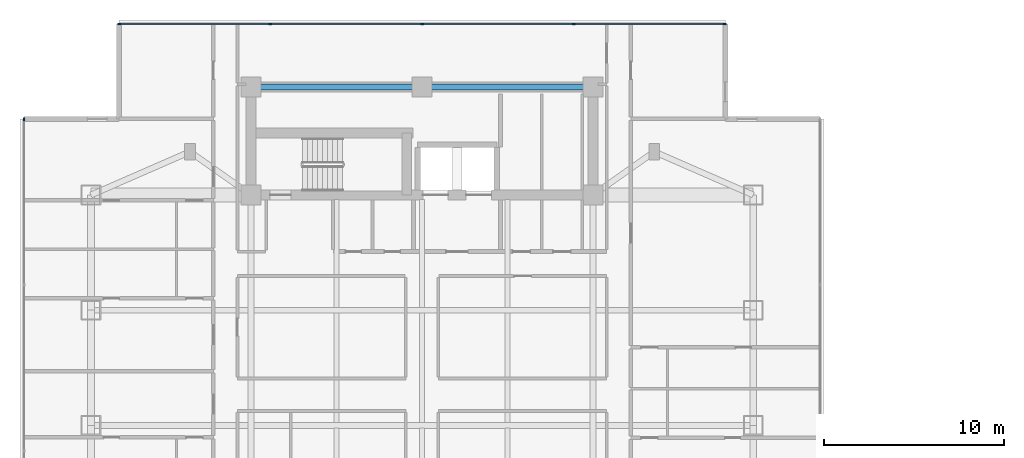
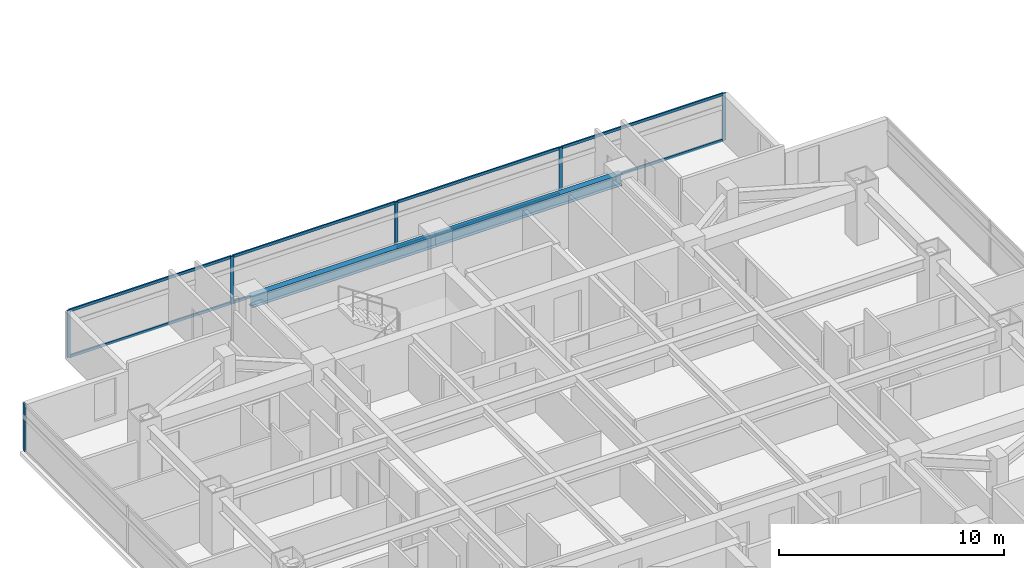
# One storey, part 7 of 24: 14 members, 2 beams, 2 elements without a shape of their own.
"""IFC4 building model written with IfcOpenShell, lengths in metres."""

import ifcopenshell
import ifcopenshell.guid

model = None  # the IFC model being written
_history = None  # IfcOwnerHistory: only IFC2X3 demands one
_inside = {}  # id of a spatial element -> (the spatial element, [elements in it])
_under = {}  # id of a project, library or spatial element -> (it, [spatial elements below it])
_declared = {}  # id of a project -> (the project, [libraries it declares])
_typed = {}  # id of a type object -> (the type object, [elements of that type])
_made_of = {}  # id of a material, layer set ... -> (it, [elements and type objects made of it])


def new_model(schema):
    """Start an empty IFC model of exactly this schema.

    Asked for "IFC4X3", IfcOpenShell would pick the latest addendum, in which some entities
    have other attributes; the version numbers below select the first issue.
    IFC2X3 requires an IfcOwnerHistory on every rooted entity: one is made here for all.
    """
    global model, _history
    if schema == "IFC4X3":
        model = ifcopenshell.file(schema_version=(4, 3, 0, 0))
    else:
        model = ifcopenshell.file(schema=schema)
    _inside.clear()
    _under.clear()
    _declared.clear()
    _typed.clear()
    _made_of.clear()
    _history = None
    if model.schema == "IFC2X3":
        org = make("IfcOrganization", Name="unknown")
        user = make(
            "IfcPersonAndOrganization",
            ThePerson=make("IfcPerson", FamilyName="unknown"),
            TheOrganization=org,
        )
        app = make(
            "IfcApplication",
            ApplicationDeveloper=org,
            Version="unknown",
            ApplicationFullName="unknown",
            ApplicationIdentifier="unknown",
        )
        _history = make(
            "IfcOwnerHistory",
            OwningUser=user,
            OwningApplication=app,
            ChangeAction="ADDED",
            CreationDate=0,
        )
    return model


def make(cls, **values):
    """One entity of the class cls with the attributes given. An attribute that is None is left unset."""
    return model.create_entity(
        cls, **{name: value for name, value in values.items() if value is not None}
    )


def rooted(cls, **values):
    """An entity with a GlobalId (a new one), such as an element, a storey or a relation."""
    return make(cls, GlobalId=ifcopenshell.guid.new(), OwnerHistory=_history, **values)


def si_unit(unit_type, name, prefix=None):
    """IfcSIUnit, for example si_unit("LENGTHUNIT", "METRE", prefix="MILLI")."""
    return make("IfcSIUnit", UnitType=unit_type, Prefix=prefix, Name=name)


def assignment(units):
    """IfcUnitAssignment: the units of a project."""
    return None if units is None else make("IfcUnitAssignment", Units=units)


def point(xyz):
    """IfcCartesianPoint."""
    return None if xyz is None else make("IfcCartesianPoint", Coordinates=xyz)


def direction(xyz):
    """IfcDirection."""
    return None if xyz is None else make("IfcDirection", DirectionRatios=xyz)


def frame(location, z_axis=None, x_axis=None):
    """IfcAxis2Placement3D, a coordinate frame: its origin and axes. An axis left out is left unset."""
    return make(
        "IfcAxis2Placement3D",
        Location=point(location),
        Axis=direction(z_axis),
        RefDirection=direction(x_axis),
    )


def frame_2d(location, x_axis=None):
    """IfcAxis2Placement2D, a coordinate frame in the plane: its origin and x axis."""
    return make(
        "IfcAxis2Placement2D", Location=point(location), RefDirection=direction(x_axis)
    )


def origin():
    """The frame at (0, 0, 0) with its axes left unset."""
    return frame((0.0, 0.0, 0.0))


def origin_2d():
    """The frame at (0, 0) in the plane with its x axis left unset."""
    return frame_2d((0.0, 0.0))


def place(relative_to, where):
    """IfcLocalPlacement: puts the frame where relative to a parent placement (None: the world)."""
    return make(
        "IfcLocalPlacement", PlacementRelTo=relative_to, RelativePlacement=where
    )


def context(
    kind, dimensions, precision=None, world=None, true_north=None, identifier=None
):
    """IfcGeometricRepresentationContext, for example the 3D "Model" context."""
    return make(
        "IfcGeometricRepresentationContext",
        ContextIdentifier=identifier,
        ContextType=kind,
        CoordinateSpaceDimension=dimensions,
        Precision=precision,
        WorldCoordinateSystem=world,
        TrueNorth=true_north,
    )


def subcontext(parent, identifier, kind, view, scale=None):
    """IfcGeometricRepresentationSubContext, for example "Body" below "Model"."""
    return make(
        "IfcGeometricRepresentationSubContext",
        ContextIdentifier=identifier,
        ContextType=kind,
        ParentContext=parent,
        TargetScale=scale,
        TargetView=view,
    )


def project(units=None, contexts=None):
    """IfcProject with its units and contexts."""
    return rooted(
        "IfcProject",
        Name="project",
        RepresentationContexts=contexts,
        UnitsInContext=assignment(units),
    )


def spatial(cls, under=None, at=None, **own):
    """A site, building, storey or space (cls), placed at a placement, below another one or the project."""
    s = rooted(cls, ObjectPlacement=at, **own)
    if under is not None:
        _under.setdefault(under.id(), (under, []))[1].append(s)
    return s


def profile(cls, at=None, kind="AREA", **sizes):
    """A parametric profile (cls). Its sizes go by their IFC names, for example OverallWidth=200.0."""
    return make(cls, ProfileType=kind, Position=at, **sizes)


def rectangle(**sizes):
    """IfcRectangleProfileDef."""
    return profile("IfcRectangleProfileDef", **sizes)


def i_section(**sizes):
    """IfcIShapeProfileDef."""
    return profile("IfcIShapeProfileDef", **sizes)


def extrude(swept, where, along, depth):
    """IfcExtrudedAreaSolid: the profile swept, set in the frame where, extruded along a direction by depth."""
    return make(
        "IfcExtrudedAreaSolid",
        SweptArea=swept,
        Position=where,
        ExtrudedDirection=direction(along),
        Depth=depth,
    )


def shape(context_of_items, identifier, shape_type, items):
    """IfcShapeRepresentation: the items that make up one representation, for example the "Body"."""
    return make(
        "IfcShapeRepresentation",
        ContextOfItems=context_of_items,
        RepresentationIdentifier=identifier,
        RepresentationType=shape_type,
        Items=items,
    )


def material(Name=None, Category=None):
    """IfcMaterial."""
    return make("IfcMaterial", Name=Name, Category=Category)


def material_profile(
    of_material, cross_section, Name=None, Category=None, Priority=None
):
    """IfcMaterialProfile: a cross section and its material."""
    return make(
        "IfcMaterialProfile",
        Name=Name,
        Material=of_material,
        Profile=cross_section,
        Priority=Priority,
        Category=Category,
    )


def profile_set(profiles, Name=None, composite=None):
    """IfcMaterialProfileSet."""
    return make(
        "IfcMaterialProfileSet",
        Name=Name,
        MaterialProfiles=profiles,
        CompositeProfile=composite,
    )


def made_of(thing, what):
    """Note that an element or type object is made of a material, layer set ...; save() writes the relation."""
    if what is not None:
        _made_of.setdefault(what.id(), (what, []))[1].append(thing)
    return thing


def type_object(cls, material=None, **own):
    """A type object (cls), such as IfcWallType, which elements share."""
    return made_of(rooted(cls, **own), material)


def element(
    cls,
    number,
    at=None,
    inside=None,
    cuts=None,
    type_object=None,
    material=None,
    context=None,
    identifier="Body",
    shape_type=None,
    held_by="IfcProductDefinitionShape",
    body=None,
    shapes=None,
    **own,
):
    """One element of the class cls, such as IfcWall. Its Tag is "e" and its number.

    at: its placement. inside: the storey or other place that contains it. cuts: it is an
    opening in that element (IfcRelVoidsElement). A single representation is given by context,
    identifier, shape_type and body (its items); several are given by shapes. held_by: the class
    of the entity that holds the representations. save() writes the other relations.
    """
    e = rooted(cls, Tag="e%d" % number, ObjectPlacement=at, **own)
    if body is not None:
        shapes = [shape(context, identifier, shape_type, body)]
    if shapes is not None:
        e.Representation = make(held_by, Representations=shapes)
    if inside is not None:
        _inside.setdefault(inside.id(), (inside, []))[1].append(e)
    if cuts is not None:
        rooted(
            "IfcRelVoidsElement", RelatingBuildingElement=cuts, RelatedOpeningElement=e
        )
    if type_object is not None:
        _typed.setdefault(type_object.id(), (type_object, []))[1].append(e)
    return made_of(e, material)


def aggregate(whole, parts):
    """IfcRelAggregates: a whole, such as a stair, and the parts it consists of."""
    return rooted("IfcRelAggregates", RelatingObject=whole, RelatedObjects=parts)


def save(model, path):
    """Write the relations noted so far, then the file.

    IfcRelAggregates (storeys below a building ...), IfcRelContainedInSpatialStructure (elements
    in a storey), IfcRelDefinesByType, IfcRelAssociatesMaterial and IfcRelDeclares: one each for
    every whole, place, type object, material and project.
    """
    for whole, parts in _under.values():
        aggregate(whole, parts)
    for where, things in _inside.values():
        rooted(
            "IfcRelContainedInSpatialStructure",
            RelatedElements=things,
            RelatingStructure=where,
        )
    for kind, things in _typed.values():
        rooted("IfcRelDefinesByType", RelatedObjects=things, RelatingType=kind)
    for what, things in _made_of.values():
        rooted("IfcRelAssociatesMaterial", RelatedObjects=things, RelatingMaterial=what)
    for by, libraries in _declared.values():
        rooted("IfcRelDeclares", RelatingContext=by, RelatedDefinitions=libraries)
    model.write(path)


model = new_model("IFC4")

# Units and contexts
model_context = context("Model", 3, precision=1e-05, world=origin(), true_north=direction((0.0, 1.0)))
body_context = subcontext(model_context, "Body", "Model", "MODEL_VIEW")
ifc_project = project(units=[si_unit("LENGTHUNIT", "METRE"), si_unit("AREAUNIT", "SQUARE_METRE"), si_unit("VOLUMEUNIT", "CUBIC_METRE"), si_unit("PLANEANGLEUNIT", "RADIAN"), si_unit("MASSUNIT", "GRAM", prefix="KILO")], contexts=[model_context])

# Site, building, storey
site_placement = place(None, origin())
site = spatial("IfcSite", under=ifc_project, at=site_placement, CompositionType="ELEMENT")
building_placement = place(site_placement, origin())
building = spatial("IfcBuilding", under=site, at=building_placement, Name="Mirazonda Arch Towers", CompositionType="ELEMENT")
storey_placement = place(building_placement, frame((0.0, 0.0, 144.5)))
storey = spatial("IfcBuildingStorey", under=building, at=storey_placement, Name="L41", CompositionType="ELEMENT", Elevation=144.5)

# Beams
ifc_material_1 = material(Name="Steel ASTM A992 Grade 50", Category="steel")
ifc_material_profile_1 = material_profile(ifc_material_1, i_section(OverallWidth=0.324951171875, OverallDepth=0.615966796875, WebThickness=0.013916015625, FlangeThickness=0.021484375, at=origin_2d()), Name="W24X117")
ifc_profile_set_1 = profile_set([ifc_material_profile_1], Name="Steel ASTM A992 Grade 50")
beam_type = type_object("IfcBeamType", Name="BM-INT-W24X117", PredefinedType="BEAM", material=ifc_profile_set_1)
for number, where, z_axis, x_axis, name in (
    (1, (11.0, 43.60009765625, 2.632080078125), (1.0, 0.0, 0.0), (0.0, 1.0, 0.0), "L41 Floor Beam BMT-T1-L41-CN1"),
    (2, (20.5, 43.60009765625, 2.632080078125), (1.0, 0.0, 0.0), (0.0, 1.0, 0.0), "L41 Floor Beam BMT-T1-L41-CN2"),
):
    element("IfcBeam", number, at=place(storey_placement, frame(where, z_axis=z_axis, x_axis=x_axis)), inside=storey, type_object=beam_type, Name=name, PredefinedType="BEAM", context=body_context, shape_type="SweptSolid", body=[
        extrude(i_section(OverallWidth=0.324951171875, OverallDepth=0.615966796875, WebThickness=0.013916015625, FlangeThickness=0.021484375, at=origin_2d()), origin(), (0.0, 0.0, 1.0), 9.5),
    ])

# Curtain wall, members
ifc_material_2 = material(Name="Anodised Aluminium and Low-E Glass", Category="aluminium")
curtain_wall_type = type_object("IfcCurtainWallType", Name="CW-HTL-UNIT", PredefinedType="NOTDEFINED", material=ifc_material_2)
curtain_wall_1_placement = place(storey_placement, origin())
curtain_wall_1 = element("IfcCurtainWall", 3, at=curtain_wall_1_placement, inside=storey, type_object=curtain_wall_type, Name="L41 T1 N Facade CW-L41-T1-N", PredefinedType="NOTDEFINED")
ifc_material_3 = material(Name="Anodised Aluminium Alloy", Category="aluminium")
ifc_material_profile_2 = material_profile(ifc_material_3, rectangle(XDim=0.074951171875, YDim=0.1650390625, at=origin_2d()), Name="ALU-MULL-75x165")
ifc_profile_set_2 = profile_set([ifc_material_profile_2], Name="Anodised Aluminium Alloy")
member_type_1 = type_object("IfcMemberType", Name="MULL-CW-HTL-UNIT", PredefinedType="MULLION", material=ifc_profile_set_2)
member_1_placement = place(storey_placement, frame((3.6875, 47.10400390625, 0.0), z_axis=(0.0, 0.0, 1.0), x_axis=(0.0, 1.0, 0.0)))
member_1 = element("IfcMember", 4, at=member_1_placement, type_object=member_type_1, Name="CW-112 mullion 1", PredefinedType="MULLION", context=body_context, shape_type="SweptSolid", body=[
    extrude(rectangle(XDim=0.074951171875, YDim=0.1650390625, at=origin_2d()), origin(), (0.0, 0.0, 1.0), 2.56005859375),
])
member_2_placement = place(storey_placement, frame((12.074951171875, 47.10400390625, 0.0), z_axis=(0.0, 0.0, 1.0), x_axis=(0.0, 1.0, 0.0)))
member_2 = element("IfcMember", 5, at=member_2_placement, type_object=member_type_1, Name="CW-112 mullion 2", PredefinedType="MULLION", context=body_context, shape_type="SweptSolid", body=[
    extrude(rectangle(XDim=0.074951171875, YDim=0.1650390625, at=origin_2d()), origin(), (0.0, 0.0, 1.0), 2.56005859375),
])
member_3_placement = place(storey_placement, frame((20.5, 47.10400390625, 0.0), z_axis=(0.0, 0.0, 1.0), x_axis=(0.0, 1.0, 0.0)))
member_3 = element("IfcMember", 6, at=member_3_placement, type_object=member_type_1, Name="CW-112 mullion 3", PredefinedType="MULLION", context=body_context, shape_type="SweptSolid", body=[
    extrude(rectangle(XDim=0.074951171875, YDim=0.1650390625, at=origin_2d()), origin(), (0.0, 0.0, 1.0), 2.56005859375),
])
member_4_placement = place(storey_placement, frame((28.925048828125, 47.10400390625, 0.0), z_axis=(0.0, 0.0, 1.0), x_axis=(0.0, 1.0, 0.0)))
member_4 = element("IfcMember", 7, at=member_4_placement, type_object=member_type_1, Name="CW-112 mullion 4", PredefinedType="MULLION", context=body_context, shape_type="SweptSolid", body=[
    extrude(rectangle(XDim=0.074951171875, YDim=0.1650390625, at=origin_2d()), origin(), (0.0, 0.0, 1.0), 2.56005859375),
])
member_5_placement = place(storey_placement, frame((37.3125, 47.10400390625, 0.0), z_axis=(0.0, 0.0, 1.0), x_axis=(0.0, 1.0, 0.0)))
member_5 = element("IfcMember", 8, at=member_5_placement, type_object=member_type_1, Name="CW-112 mullion 5", PredefinedType="MULLION", context=body_context, shape_type="SweptSolid", body=[
    extrude(rectangle(XDim=0.074951171875, YDim=0.1650390625, at=origin_2d()), origin(), (0.0, 0.0, 1.0), 2.56005859375),
])

# Curtain wall, member
curtain_wall_2_placement = place(storey_placement, origin())
curtain_wall_2 = element("IfcCurtainWall", 9, at=curtain_wall_2_placement, inside=storey, type_object=curtain_wall_type, Name="L41 T1 W Facade CW-L41-T1-W", PredefinedType="NOTDEFINED")
member_6_placement = place(storey_placement, frame((-1.6201171875, 41.79638671875, 0.0), z_axis=(0.0, 0.0, 1.0), x_axis=(1.0, 0.0, 0.0)))
member_6 = element("IfcMember", 10, at=member_6_placement, type_object=member_type_1, Name="CW-112 mullion 1", PredefinedType="MULLION", context=body_context, shape_type="SweptSolid", body=[
    extrude(rectangle(XDim=0.074951171875, YDim=0.1650390625, at=origin_2d()), origin(), (0.0, 0.0, 1.0), 2.56005859375),
])
aggregate(curtain_wall_2, [member_6])

# Member
ifc_material_profile_3 = material_profile(ifc_material_3, rectangle(XDim=0.074951171875, YDim=0.14501953125, at=origin_2d()), Name="ALU-TRAN-75x145")
ifc_profile_set_3 = profile_set([ifc_material_profile_3], Name="Anodised Aluminium Alloy")
member_type_2 = type_object("IfcMemberType", Name="TRAN-CW-HTL-UNIT", PredefinedType="USERDEFINED", material=ifc_profile_set_3)
member_7_placement = place(storey_placement, frame((3.72509765625, 47.10400390625, 0.03759765625), z_axis=(1.0, 0.0, 0.0), x_axis=(0.0, 1.0, 0.0)))
member_7 = element("IfcMember", 11, at=member_7_placement, type_object=member_type_2, Name="CW-112 transom 1.1", ObjectType="TRANSOM", PredefinedType="USERDEFINED", context=body_context, shape_type="SweptSolid", body=[
    extrude(rectangle(XDim=0.074951171875, YDim=0.14501953125, at=origin_2d()), origin(), (0.0, 0.0, 1.0), 8.3125),
])

member_8_placement = place(storey_placement, frame((3.72509765625, 47.10400390625, 2.5224609375), z_axis=(1.0, 0.0, 0.0), x_axis=(0.0, 1.0, 0.0)))
member_8 = element("IfcMember", 12, at=member_8_placement, type_object=member_type_2, Name="CW-112 transom 1.2", ObjectType="TRANSOM", PredefinedType="USERDEFINED", context=body_context, shape_type="SweptSolid", body=[
    extrude(rectangle(XDim=0.074951171875, YDim=0.14501953125, at=origin_2d()), origin(), (0.0, 0.0, 1.0), 8.3125),
])

member_9_placement = place(storey_placement, frame((12.112548828125, 47.10400390625, 0.03759765625), z_axis=(1.0, 0.0, 0.0), x_axis=(0.0, 1.0, 0.0)))
member_9 = element("IfcMember", 13, at=member_9_placement, type_object=member_type_2, Name="CW-112 transom 2.1", ObjectType="TRANSOM", PredefinedType="USERDEFINED", context=body_context, shape_type="SweptSolid", body=[
    extrude(rectangle(XDim=0.074951171875, YDim=0.14501953125, at=origin_2d()), origin(), (0.0, 0.0, 1.0), 8.349853515625),
])

member_10_placement = place(storey_placement, frame((12.112548828125, 47.10400390625, 2.5224609375), z_axis=(1.0, 0.0, 0.0), x_axis=(0.0, 1.0, 0.0)))
member_10 = element("IfcMember", 14, at=member_10_placement, type_object=member_type_2, Name="CW-112 transom 2.2", ObjectType="TRANSOM", PredefinedType="USERDEFINED", context=body_context, shape_type="SweptSolid", body=[
    extrude(rectangle(XDim=0.074951171875, YDim=0.14501953125, at=origin_2d()), origin(), (0.0, 0.0, 1.0), 8.349853515625),
])

member_11_placement = place(storey_placement, frame((20.53759765625, 47.10400390625, 0.03759765625), z_axis=(1.0, 0.0, 0.0), x_axis=(0.0, 1.0, 0.0)))
member_11 = element("IfcMember", 15, at=member_11_placement, type_object=member_type_2, Name="CW-112 transom 3.1", ObjectType="TRANSOM", PredefinedType="USERDEFINED", context=body_context, shape_type="SweptSolid", body=[
    extrude(rectangle(XDim=0.074951171875, YDim=0.14501953125, at=origin_2d()), origin(), (0.0, 0.0, 1.0), 8.349853515625),
])

member_12_placement = place(storey_placement, frame((20.53759765625, 47.10400390625, 2.5224609375), z_axis=(1.0, 0.0, 0.0), x_axis=(0.0, 1.0, 0.0)))
member_12 = element("IfcMember", 16, at=member_12_placement, type_object=member_type_2, Name="CW-112 transom 3.2", ObjectType="TRANSOM", PredefinedType="USERDEFINED", context=body_context, shape_type="SweptSolid", body=[
    extrude(rectangle(XDim=0.074951171875, YDim=0.14501953125, at=origin_2d()), origin(), (0.0, 0.0, 1.0), 8.349853515625),
])

member_13_placement = place(storey_placement, frame((28.96240234375, 47.10400390625, 0.03759765625), z_axis=(1.0, 0.0, 0.0), x_axis=(0.0, 1.0, 0.0)))
member_13 = element("IfcMember", 17, at=member_13_placement, type_object=member_type_2, Name="CW-112 transom 4.1", ObjectType="TRANSOM", PredefinedType="USERDEFINED", context=body_context, shape_type="SweptSolid", body=[
    extrude(rectangle(XDim=0.074951171875, YDim=0.14501953125, at=origin_2d()), origin(), (0.0, 0.0, 1.0), 8.3125),
])

member_14_placement = place(storey_placement, frame((28.96240234375, 47.10400390625, 2.5224609375), z_axis=(1.0, 0.0, 0.0), x_axis=(0.0, 1.0, 0.0)))
member_14 = element("IfcMember", 18, at=member_14_placement, type_object=member_type_2, Name="CW-112 transom 4.2", ObjectType="TRANSOM", PredefinedType="USERDEFINED", context=body_context, shape_type="SweptSolid", body=[
    extrude(rectangle(XDim=0.074951171875, YDim=0.14501953125, at=origin_2d()), origin(), (0.0, 0.0, 1.0), 8.3125),
])

aggregate(curtain_wall_1, [member_1, member_2, member_3, member_4, member_5, member_7, member_8, member_9, member_10, member_11, member_12, member_13, member_14])

save(model, "model.ifc")
